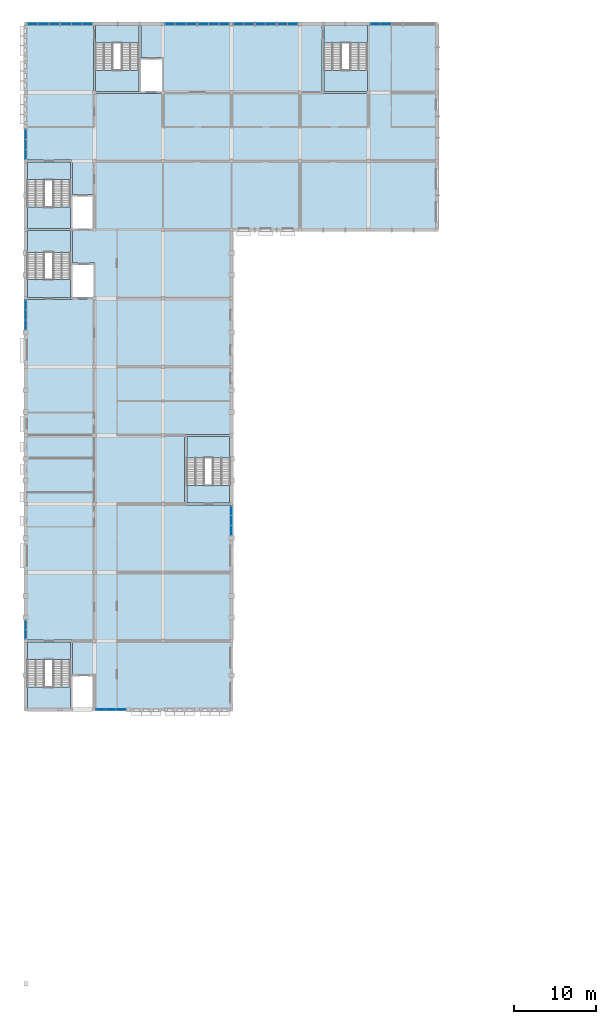
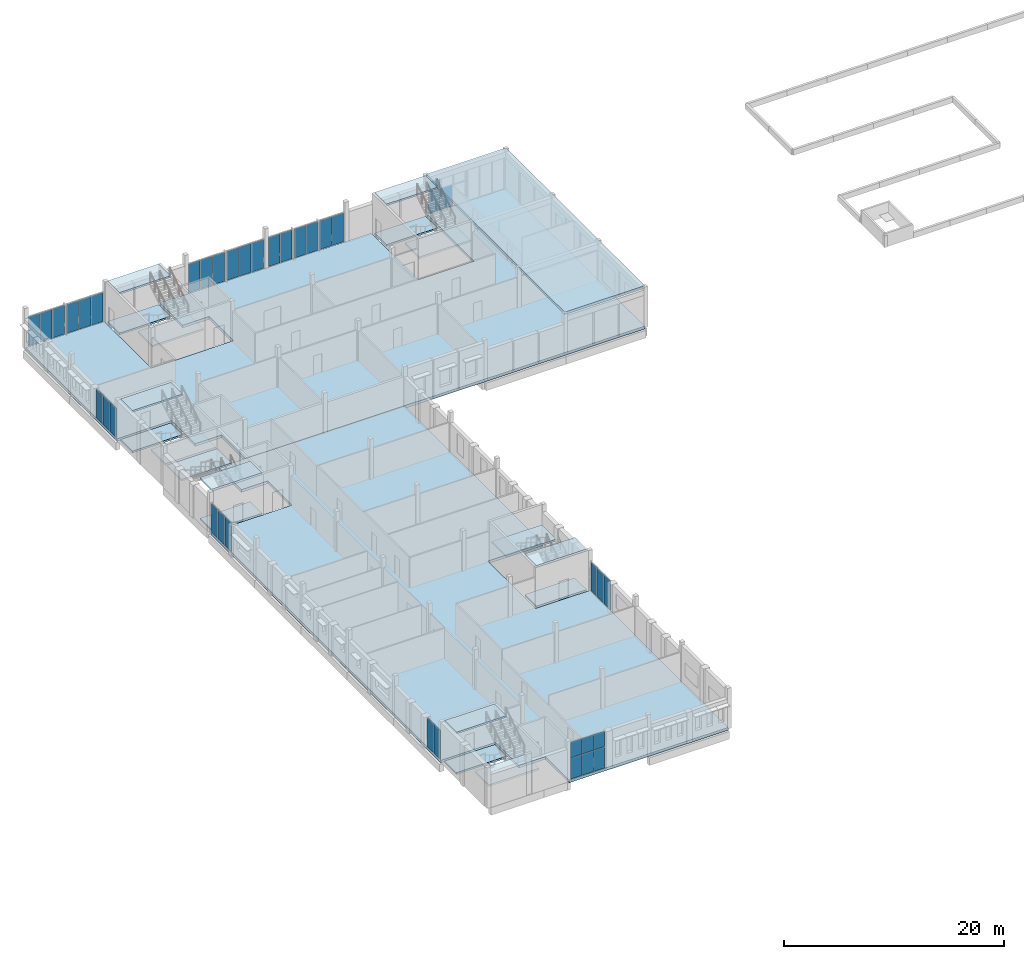
# One storey, part 12 of 22: 38 plates, 21 slabs, 19 elements without a shape of their own.
"""IFC4 building model written with IfcOpenShell, lengths in metres."""

import ifcopenshell
import ifcopenshell.guid

model = None  # the IFC model being written
_history = None  # IfcOwnerHistory: only IFC2X3 demands one
_inside = {}  # id of a spatial element -> (the spatial element, [elements in it])
_under = {}  # id of a project, library or spatial element -> (it, [spatial elements below it])
_declared = {}  # id of a project -> (the project, [libraries it declares])
_typed = {}  # id of a type object -> (the type object, [elements of that type])
_made_of = {}  # id of a material, layer set ... -> (it, [elements and type objects made of it])


def new_model(schema):
    """Start an empty IFC model of exactly this schema.

    Asked for "IFC4X3", IfcOpenShell would pick the latest addendum, in which some entities
    have other attributes; the version numbers below select the first issue.
    IFC2X3 requires an IfcOwnerHistory on every rooted entity: one is made here for all.
    """
    global model, _history
    if schema == "IFC4X3":
        model = ifcopenshell.file(schema_version=(4, 3, 0, 0))
    else:
        model = ifcopenshell.file(schema=schema)
    _inside.clear()
    _under.clear()
    _declared.clear()
    _typed.clear()
    _made_of.clear()
    _history = None
    if model.schema == "IFC2X3":
        org = make("IfcOrganization", Name="unknown")
        user = make(
            "IfcPersonAndOrganization",
            ThePerson=make("IfcPerson", FamilyName="unknown"),
            TheOrganization=org,
        )
        app = make(
            "IfcApplication",
            ApplicationDeveloper=org,
            Version="unknown",
            ApplicationFullName="unknown",
            ApplicationIdentifier="unknown",
        )
        _history = make(
            "IfcOwnerHistory",
            OwningUser=user,
            OwningApplication=app,
            ChangeAction="ADDED",
            CreationDate=0,
        )
    return model


def make(cls, **values):
    """One entity of the class cls with the attributes given. An attribute that is None is left unset."""
    return model.create_entity(
        cls, **{name: value for name, value in values.items() if value is not None}
    )


def rooted(cls, **values):
    """An entity with a GlobalId (a new one), such as an element, a storey or a relation."""
    return make(cls, GlobalId=ifcopenshell.guid.new(), OwnerHistory=_history, **values)


def si_unit(unit_type, name, prefix=None):
    """IfcSIUnit, for example si_unit("LENGTHUNIT", "METRE", prefix="MILLI")."""
    return make("IfcSIUnit", UnitType=unit_type, Prefix=prefix, Name=name)


def assignment(units):
    """IfcUnitAssignment: the units of a project."""
    return None if units is None else make("IfcUnitAssignment", Units=units)


def point(xyz):
    """IfcCartesianPoint."""
    return None if xyz is None else make("IfcCartesianPoint", Coordinates=xyz)


def direction(xyz):
    """IfcDirection."""
    return None if xyz is None else make("IfcDirection", DirectionRatios=xyz)


def frame(location, z_axis=None, x_axis=None):
    """IfcAxis2Placement3D, a coordinate frame: its origin and axes. An axis left out is left unset."""
    return make(
        "IfcAxis2Placement3D",
        Location=point(location),
        Axis=direction(z_axis),
        RefDirection=direction(x_axis),
    )


def frame_2d(location, x_axis=None):
    """IfcAxis2Placement2D, a coordinate frame in the plane: its origin and x axis."""
    return make(
        "IfcAxis2Placement2D", Location=point(location), RefDirection=direction(x_axis)
    )


def origin():
    """The frame at (0, 0, 0) with its axes left unset."""
    return frame((0.0, 0.0, 0.0))


def origin_2d():
    """The frame at (0, 0) in the plane with its x axis left unset."""
    return frame_2d((0.0, 0.0))


def place(relative_to, where):
    """IfcLocalPlacement: puts the frame where relative to a parent placement (None: the world)."""
    return make(
        "IfcLocalPlacement", PlacementRelTo=relative_to, RelativePlacement=where
    )


def context(
    kind, dimensions, precision=None, world=None, true_north=None, identifier=None
):
    """IfcGeometricRepresentationContext, for example the 3D "Model" context."""
    return make(
        "IfcGeometricRepresentationContext",
        ContextIdentifier=identifier,
        ContextType=kind,
        CoordinateSpaceDimension=dimensions,
        Precision=precision,
        WorldCoordinateSystem=world,
        TrueNorth=true_north,
    )


def subcontext(parent, identifier, kind, view, scale=None):
    """IfcGeometricRepresentationSubContext, for example "Body" below "Model"."""
    return make(
        "IfcGeometricRepresentationSubContext",
        ContextIdentifier=identifier,
        ContextType=kind,
        ParentContext=parent,
        TargetScale=scale,
        TargetView=view,
    )


def project(units=None, contexts=None):
    """IfcProject with its units and contexts."""
    return rooted(
        "IfcProject",
        Name="project",
        RepresentationContexts=contexts,
        UnitsInContext=assignment(units),
    )


def spatial(cls, under=None, at=None, **own):
    """A site, building, storey or space (cls), placed at a placement, below another one or the project."""
    s = rooted(cls, ObjectPlacement=at, **own)
    if under is not None:
        _under.setdefault(under.id(), (under, []))[1].append(s)
    return s


def polyline(points):
    """IfcPolyline through the points."""
    return make("IfcPolyline", Points=[point(p) for p in points])


def profile(cls, at=None, kind="AREA", **sizes):
    """A parametric profile (cls). Its sizes go by their IFC names, for example OverallWidth=200.0."""
    return make(cls, ProfileType=kind, Position=at, **sizes)


def rectangle(**sizes):
    """IfcRectangleProfileDef."""
    return profile("IfcRectangleProfileDef", **sizes)


def outline(outer, holes=None, kind="AREA"):
    """IfcArbitraryClosedProfileDef: a profile drawn as a closed curve; with holes, ...WithVoids."""
    if holes is None:
        return make("IfcArbitraryClosedProfileDef", ProfileType=kind, OuterCurve=outer)
    return make(
        "IfcArbitraryProfileDefWithVoids",
        ProfileType=kind,
        OuterCurve=outer,
        InnerCurves=holes,
    )


def extrude(swept, where, along, depth):
    """IfcExtrudedAreaSolid: the profile swept, set in the frame where, extruded along a direction by depth."""
    return make(
        "IfcExtrudedAreaSolid",
        SweptArea=swept,
        Position=where,
        ExtrudedDirection=direction(along),
        Depth=depth,
    )


def shape(context_of_items, identifier, shape_type, items):
    """IfcShapeRepresentation: the items that make up one representation, for example the "Body"."""
    return make(
        "IfcShapeRepresentation",
        ContextOfItems=context_of_items,
        RepresentationIdentifier=identifier,
        RepresentationType=shape_type,
        Items=items,
    )


def material(Name=None, Category=None):
    """IfcMaterial."""
    return make("IfcMaterial", Name=Name, Category=Category)


def layer(
    of_material, thickness, ventilated=None, Name=None, Category=None, Priority=None
):
    """IfcMaterialLayer: one layer of a wall or slab, of a material (None: an air gap)."""
    return make(
        "IfcMaterialLayer",
        Material=of_material,
        LayerThickness=thickness,
        IsVentilated=ventilated,
        Name=Name,
        Category=Category,
        Priority=Priority,
    )


def layer_set(layers, Name=None):
    """IfcMaterialLayerSet."""
    return make("IfcMaterialLayerSet", MaterialLayers=layers, LayerSetName=Name)


def made_of(thing, what):
    """Note that an element or type object is made of a material, layer set ...; save() writes the relation."""
    if what is not None:
        _made_of.setdefault(what.id(), (what, []))[1].append(thing)
    return thing


def type_object(cls, material=None, **own):
    """A type object (cls), such as IfcWallType, which elements share."""
    return made_of(rooted(cls, **own), material)


def element(
    cls,
    number,
    at=None,
    inside=None,
    cuts=None,
    type_object=None,
    material=None,
    context=None,
    identifier="Body",
    shape_type=None,
    held_by="IfcProductDefinitionShape",
    body=None,
    shapes=None,
    **own,
):
    """One element of the class cls, such as IfcWall. Its Tag is "e" and its number.

    at: its placement. inside: the storey or other place that contains it. cuts: it is an
    opening in that element (IfcRelVoidsElement). A single representation is given by context,
    identifier, shape_type and body (its items); several are given by shapes. held_by: the class
    of the entity that holds the representations. save() writes the other relations.
    """
    e = rooted(cls, Tag="e%d" % number, ObjectPlacement=at, **own)
    if body is not None:
        shapes = [shape(context, identifier, shape_type, body)]
    if shapes is not None:
        e.Representation = make(held_by, Representations=shapes)
    if inside is not None:
        _inside.setdefault(inside.id(), (inside, []))[1].append(e)
    if cuts is not None:
        rooted(
            "IfcRelVoidsElement", RelatingBuildingElement=cuts, RelatedOpeningElement=e
        )
    if type_object is not None:
        _typed.setdefault(type_object.id(), (type_object, []))[1].append(e)
    return made_of(e, material)


def aggregate(whole, parts):
    """IfcRelAggregates: a whole, such as a stair, and the parts it consists of."""
    return rooted("IfcRelAggregates", RelatingObject=whole, RelatedObjects=parts)


def save(model, path):
    """Write the relations noted so far, then the file.

    IfcRelAggregates (storeys below a building ...), IfcRelContainedInSpatialStructure (elements
    in a storey), IfcRelDefinesByType, IfcRelAssociatesMaterial and IfcRelDeclares: one each for
    every whole, place, type object, material and project.
    """
    for whole, parts in _under.values():
        aggregate(whole, parts)
    for where, things in _inside.values():
        rooted(
            "IfcRelContainedInSpatialStructure",
            RelatedElements=things,
            RelatingStructure=where,
        )
    for kind, things in _typed.values():
        rooted("IfcRelDefinesByType", RelatedObjects=things, RelatingType=kind)
    for what, things in _made_of.values():
        rooted("IfcRelAssociatesMaterial", RelatedObjects=things, RelatingMaterial=what)
    for by, libraries in _declared.values():
        rooted("IfcRelDeclares", RelatingContext=by, RelatedDefinitions=libraries)
    model.write(path)


model = new_model("IFC4")

# Units and contexts
model_context = context("Model", 3, precision=1e-05, world=origin(), true_north=direction((0.0, 1.0)))
body_context = subcontext(model_context, "Body", "Model", "MODEL_VIEW")
ifc_project = project(units=[si_unit("LENGTHUNIT", "METRE"), si_unit("AREAUNIT", "SQUARE_METRE"), si_unit("VOLUMEUNIT", "CUBIC_METRE"), si_unit("PLANEANGLEUNIT", "RADIAN"), si_unit("MASSUNIT", "GRAM", prefix="KILO")], contexts=[model_context])

# Site, building, storey
site_placement = place(None, origin())
site = spatial("IfcSite", under=ifc_project, at=site_placement, CompositionType="ELEMENT")
building_placement = place(site_placement, origin())
building = spatial("IfcBuilding", under=site, at=building_placement, Name="Fescue Hill Polytechnic", CompositionType="ELEMENT")
storey_placement = place(building_placement, frame((0.0, 0.0, 27.0)))
storey = spatial("IfcBuildingStorey", under=building, at=storey_placement, Name="L06", CompositionType="ELEMENT", Elevation=27.0)

# Slabs
ifc_material_1 = material(Name="Concrete 35 MPa", Category="concrete")
ifc_layer_1 = layer(ifc_material_1, 0.300048828125)
ifc_layer_set_1 = layer_set([ifc_layer_1], Name="Concrete 35 MPa")
slab_type_1 = type_object("IfcSlabType", Name="Floor slab 300", PredefinedType="FLOOR", material=ifc_layer_set_1)
slab_1_placement = place(storey_placement, frame((0.0, 0.0, -0.300048828125)))
element("IfcSlab", 1, at=slab_1_placement, inside=storey, type_object=slab_type_1, Name="SL-L06-V4-1", PredefinedType="FLOOR", context=body_context, shape_type="SweptSolid", body=[
    extrude(outline(polyline([(25.199951171875, 50.39990234375), (8.5, 50.39990234375), (8.5, 54.699951171875), (5.72509765625, 54.699951171875), (5.72509765625, 58.925048828125), (0.0, 58.925048828125), (0.0, 100.675048828125), (5.72509765625, 100.675048828125), (5.72509765625, 100.699951171875), (8.5, 100.699951171875), (8.5, 105.10009765625), (5.72509765625, 105.10009765625), (5.72509765625, 109.199951171875), (25.199951171875, 109.199951171875), (25.199951171875, 84.125), (19.47509765625, 84.125), (19.47509765625, 75.47509765625), (25.199951171875, 75.47509765625), (25.199951171875, 50.39990234375)])), origin(), (0.0, 0.0, 1.0), 0.300048828125),
])
slab_2_placement = place(storey_placement, frame((0.0, 0.0, -0.300048828125)))
element("IfcSlab", 2, at=slab_2_placement, inside=storey, type_object=slab_type_1, Name="SL-L06-V5-1", PredefinedType="FLOOR", context=body_context, shape_type="SweptSolid", body=[
    extrude(outline(polyline([(50.39990234375, 134.39990234375), (50.39990234375, 109.199951171875), (8.5, 109.199951171875), (8.5, 113.5), (5.72509765625, 113.5), (5.72509765625, 117.72509765625), (0.0, 117.72509765625), (0.0, 134.39990234375), (8.27490234375, 134.39990234375), (8.27490234375, 125.875), (14.125, 125.875), (14.125, 125.89990234375), (16.89990234375, 125.89990234375), (16.89990234375, 130.300048828125), (14.125, 130.300048828125), (14.125, 134.39990234375), (36.27490234375, 134.39990234375), (36.27490234375, 125.875), (42.125, 125.875), (42.125, 134.39990234375), (50.39990234375, 134.39990234375)])), origin(), (0.0, 0.0, 1.0), 0.300048828125),
])

# Curtain wall, plates
ifc_material_2 = material(Name="Glass", Category="glass")
curtain_wall_type = type_object("IfcCurtainWallType", Name="Curtain wall structural glazing", PredefinedType="NOTDEFINED", material=ifc_material_2)
curtain_wall_1_placement = place(storey_placement, origin())
curtain_wall_1 = element("IfcCurtainWall", 3, at=curtain_wall_1_placement, inside=storey, type_object=curtain_wall_type, Name="CW-L06-V5-2", PredefinedType="NOTDEFINED")
ifc_layer_2 = layer(ifc_material_2, 0.028076171875)
ifc_layer_set_2 = layer_set([ifc_layer_2], Name="Glass")
plate_type = type_object("IfcPlateType", Name="Panel glazing 28", PredefinedType="CURTAIN_PANEL", material=ifc_layer_set_2)
plate_1_placement = place(storey_placement, frame((32.7333984375, 134.39990234375, 0.06005859375), z_axis=(0.0, 0.0, 1.0), x_axis=(-1.0, 0.0, 0.0)))
plate_1 = element("IfcPlate", 4, at=plate_1_placement, type_object=plate_type, Name="CW100 panel 1.1", PredefinedType="CURTAIN_PANEL", context=body_context, shape_type="SweptSolid", body=[
    extrude(rectangle(XDim=1.21337890625, YDim=0.028076171875, at=origin_2d()), origin(), (0.0, 0.0, 1.0), 3.2099609375),
])
plate_2_placement = place(storey_placement, frame((31.4599609375, 134.39990234375, 0.06005859375), z_axis=(0.0, 0.0, 1.0), x_axis=(-1.0, 0.0, 0.0)))
plate_2 = element("IfcPlate", 5, at=plate_2_placement, type_object=plate_type, Name="CW100 panel 2.1", PredefinedType="CURTAIN_PANEL", context=body_context, shape_type="SweptSolid", body=[
    extrude(rectangle(XDim=1.21337890625, YDim=0.028076171875, at=origin_2d()), origin(), (0.0, 0.0, 1.0), 3.2099609375),
])
aggregate(curtain_wall_1, [plate_1, plate_2])

curtain_wall_2_placement = place(storey_placement, origin())
curtain_wall_2 = element("IfcCurtainWall", 6, at=curtain_wall_2_placement, inside=storey, type_object=curtain_wall_type, Name="CW-L06-V5-3", PredefinedType="NOTDEFINED")
plate_3_placement = place(storey_placement, frame((30.021728515625, 134.39990234375, 0.06005859375), z_axis=(0.0, 0.0, 1.0), x_axis=(-1.0, 0.0, 0.0)))
plate_3 = element("IfcPlate", 7, at=plate_3_placement, type_object=plate_type, Name="CW101 panel 1.1", PredefinedType="CURTAIN_PANEL", context=body_context, shape_type="SweptSolid", body=[
    extrude(rectangle(XDim=1.183349609375, YDim=0.028076171875, at=origin_2d()), origin(), (0.0, 0.0, 1.0), 3.2099609375),
])
plate_4_placement = place(storey_placement, frame((28.7783203125, 134.39990234375, 0.06005859375), z_axis=(0.0, 0.0, 1.0), x_axis=(-1.0, 0.0, 0.0)))
plate_4 = element("IfcPlate", 8, at=plate_4_placement, type_object=plate_type, Name="CW101 panel 2.1", PredefinedType="CURTAIN_PANEL", context=body_context, shape_type="SweptSolid", body=[
    extrude(rectangle(XDim=1.183349609375, YDim=0.028076171875, at=origin_2d()), origin(), (0.0, 0.0, 1.0), 3.2099609375),
])
aggregate(curtain_wall_2, [plate_3, plate_4])

curtain_wall_3_placement = place(storey_placement, origin())
curtain_wall_3 = element("IfcCurtainWall", 9, at=curtain_wall_3_placement, inside=storey, type_object=curtain_wall_type, Name="CW-L06-V5-4", PredefinedType="NOTDEFINED")
plate_5_placement = place(storey_placement, frame((27.340087890625, 134.39990234375, 0.06005859375), z_axis=(0.0, 0.0, 1.0), x_axis=(-1.0, 0.0, 0.0)))
plate_5 = element("IfcPlate", 10, at=plate_5_placement, type_object=plate_type, Name="CW102 panel 1.1", PredefinedType="CURTAIN_PANEL", context=body_context, shape_type="SweptSolid", body=[
    extrude(rectangle(XDim=1.21337890625, YDim=0.028076171875, at=origin_2d()), origin(), (0.0, 0.0, 1.0), 3.2099609375),
])
plate_6_placement = place(storey_placement, frame((26.066650390625, 134.39990234375, 0.06005859375), z_axis=(0.0, 0.0, 1.0), x_axis=(-1.0, 0.0, 0.0)))
plate_6 = element("IfcPlate", 11, at=plate_6_placement, type_object=plate_type, Name="CW102 panel 2.1", PredefinedType="CURTAIN_PANEL", context=body_context, shape_type="SweptSolid", body=[
    extrude(rectangle(XDim=1.21337890625, YDim=0.028076171875, at=origin_2d()), origin(), (0.0, 0.0, 1.0), 3.2099609375),
])
aggregate(curtain_wall_3, [plate_5, plate_6])

curtain_wall_4_placement = place(storey_placement, origin())
curtain_wall_4 = element("IfcCurtainWall", 12, at=curtain_wall_4_placement, inside=storey, type_object=curtain_wall_type, Name="CW-L06-V5-5", PredefinedType="NOTDEFINED")
plate_7_placement = place(storey_placement, frame((24.328369140625, 134.39990234375, 0.06005859375), z_axis=(0.0, 0.0, 1.0), x_axis=(-1.0, 0.0, 0.0)))
plate_7 = element("IfcPlate", 13, at=plate_7_placement, type_object=plate_type, Name="CW103 panel 1.1", PredefinedType="CURTAIN_PANEL", context=body_context, shape_type="SweptSolid", body=[
    extrude(rectangle(XDim=1.223388671875, YDim=0.028076171875, at=origin_2d()), origin(), (0.0, 0.0, 1.0), 3.2099609375),
])
plate_8_placement = place(storey_placement, frame((23.030029296875, 134.39990234375, 0.06005859375), z_axis=(0.0, 0.0, 1.0), x_axis=(-1.0, 0.0, 0.0)))
plate_8 = element("IfcPlate", 14, at=plate_8_placement, type_object=plate_type, Name="CW103 panel 2.1", PredefinedType="CURTAIN_PANEL", context=body_context, shape_type="SweptSolid", body=[
    extrude(rectangle(XDim=1.25341796875, YDim=0.028076171875, at=origin_2d()), origin(), (0.0, 0.0, 1.0), 3.2099609375),
])
plate_9_placement = place(storey_placement, frame((21.731689453125, 134.39990234375, 0.06005859375), z_axis=(0.0, 0.0, 1.0), x_axis=(-1.0, 0.0, 0.0)))
plate_9 = element("IfcPlate", 15, at=plate_9_placement, type_object=plate_type, Name="CW103 panel 3.1", PredefinedType="CURTAIN_PANEL", context=body_context, shape_type="SweptSolid", body=[
    extrude(rectangle(XDim=1.223388671875, YDim=0.028076171875, at=origin_2d()), origin(), (0.0, 0.0, 1.0), 3.2099609375),
])
aggregate(curtain_wall_4, [plate_7, plate_8, plate_9])

curtain_wall_5_placement = place(storey_placement, origin())
curtain_wall_5 = element("IfcCurtainWall", 16, at=curtain_wall_5_placement, inside=storey, type_object=curtain_wall_type, Name="CW-L06-V5-6", PredefinedType="NOTDEFINED")
plate_10_placement = place(storey_placement, frame((20.268310546875, 134.39990234375, 0.06005859375), z_axis=(0.0, 0.0, 1.0), x_axis=(-1.0, 0.0, 0.0)))
plate_10 = element("IfcPlate", 17, at=plate_10_placement, type_object=plate_type, Name="CW104 panel 1.1", PredefinedType="CURTAIN_PANEL", context=body_context, shape_type="SweptSolid", body=[
    extrude(rectangle(XDim=1.223388671875, YDim=0.028076171875, at=origin_2d()), origin(), (0.0, 0.0, 1.0), 3.2099609375),
])
plate_11_placement = place(storey_placement, frame((18.969970703125, 134.39990234375, 0.06005859375), z_axis=(0.0, 0.0, 1.0), x_axis=(-1.0, 0.0, 0.0)))
plate_11 = element("IfcPlate", 18, at=plate_11_placement, type_object=plate_type, Name="CW104 panel 2.1", PredefinedType="CURTAIN_PANEL", context=body_context, shape_type="SweptSolid", body=[
    extrude(rectangle(XDim=1.25341796875, YDim=0.028076171875, at=origin_2d()), origin(), (0.0, 0.0, 1.0), 3.2099609375),
])
plate_12_placement = place(storey_placement, frame((17.671630859375, 134.39990234375, 0.06005859375), z_axis=(0.0, 0.0, 1.0), x_axis=(-1.0, 0.0, 0.0)))
plate_12 = element("IfcPlate", 19, at=plate_12_placement, type_object=plate_type, Name="CW104 panel 3.1", PredefinedType="CURTAIN_PANEL", context=body_context, shape_type="SweptSolid", body=[
    extrude(rectangle(XDim=1.223388671875, YDim=0.028076171875, at=origin_2d()), origin(), (0.0, 0.0, 1.0), 3.2099609375),
])
aggregate(curtain_wall_5, [plate_10, plate_11, plate_12])

curtain_wall_6_placement = place(storey_placement, origin())
curtain_wall_6 = element("IfcCurtainWall", 20, at=curtain_wall_6_placement, inside=storey, type_object=curtain_wall_type, Name="CW-L06-V5-7", PredefinedType="NOTDEFINED")
plate_13_placement = place(storey_placement, frame((3.46826171875, 134.39990234375, 0.06005859375), z_axis=(0.0, 0.0, 1.0), x_axis=(-1.0, 0.0, 0.0)))
plate_13 = element("IfcPlate", 21, at=plate_13_placement, type_object=plate_type, Name="CW105 panel 1.1", PredefinedType="CURTAIN_PANEL", context=body_context, shape_type="SweptSolid", body=[
    extrude(rectangle(XDim=1.223388671875, YDim=0.028076171875, at=origin_2d()), origin(), (0.0, 0.0, 1.0), 3.2099609375),
])
plate_14_placement = place(storey_placement, frame((2.169921875, 134.39990234375, 0.06005859375), z_axis=(0.0, 0.0, 1.0), x_axis=(-1.0, 0.0, 0.0)))
plate_14 = element("IfcPlate", 22, at=plate_14_placement, type_object=plate_type, Name="CW105 panel 2.1", PredefinedType="CURTAIN_PANEL", context=body_context, shape_type="SweptSolid", body=[
    extrude(rectangle(XDim=1.25341796875, YDim=0.028076171875, at=origin_2d()), origin(), (0.0, 0.0, 1.0), 3.2099609375),
])
plate_15_placement = place(storey_placement, frame((0.87158203125, 134.39990234375, 0.06005859375), z_axis=(0.0, 0.0, 1.0), x_axis=(-1.0, 0.0, 0.0)))
plate_15 = element("IfcPlate", 23, at=plate_15_placement, type_object=plate_type, Name="CW105 panel 3.1", PredefinedType="CURTAIN_PANEL", context=body_context, shape_type="SweptSolid", body=[
    extrude(rectangle(XDim=1.223388671875, YDim=0.028076171875, at=origin_2d()), origin(), (0.0, 0.0, 1.0), 3.2099609375),
])
aggregate(curtain_wall_6, [plate_13, plate_14, plate_15])

curtain_wall_7_placement = place(storey_placement, origin())
curtain_wall_7 = element("IfcCurtainWall", 24, at=curtain_wall_7_placement, inside=storey, type_object=curtain_wall_type, Name="CW-L06-V4-X1", PredefinedType="NOTDEFINED")
plate_16_placement = place(storey_placement, frame((0.0, 60.760009765625, 0.06005859375), z_axis=(0.0, 0.0, 1.0), x_axis=(0.0, -1.0, 0.0)))
plate_16 = element("IfcPlate", 25, at=plate_16_placement, type_object=plate_type, Name="CW126 panel 1.1", PredefinedType="CURTAIN_PANEL", context=body_context, shape_type="SweptSolid", body=[
    extrude(rectangle(XDim=1.09326171875, YDim=0.028076171875, at=origin_2d()), origin(), (0.0, 0.0, 1.0), 3.2099609375),
])
plate_17_placement = place(storey_placement, frame((0.0, 59.606689453125, 0.06005859375), z_axis=(0.0, 0.0, 1.0), x_axis=(0.0, -1.0, 0.0)))
plate_17 = element("IfcPlate", 26, at=plate_17_placement, type_object=plate_type, Name="CW126 panel 2.1", PredefinedType="CURTAIN_PANEL", context=body_context, shape_type="SweptSolid", body=[
    extrude(rectangle(XDim=1.09326171875, YDim=0.028076171875, at=origin_2d()), origin(), (0.0, 0.0, 1.0), 3.2099609375),
])
aggregate(curtain_wall_7, [plate_16, plate_17])

curtain_wall_8_placement = place(storey_placement, origin())
curtain_wall_8 = element("IfcCurtainWall", 27, at=curtain_wall_8_placement, inside=storey, type_object=curtain_wall_type, Name="CW-L06-V4-X2", PredefinedType="NOTDEFINED")
plate_18_placement = place(storey_placement, frame((0.0, 99.96826171875, 0.06005859375), z_axis=(0.0, 0.0, 1.0), x_axis=(0.0, -1.0, 0.0)))
plate_18 = element("IfcPlate", 28, at=plate_18_placement, type_object=plate_type, Name="CW132 panel 1.1", PredefinedType="CURTAIN_PANEL", context=body_context, shape_type="SweptSolid", body=[
    extrude(rectangle(XDim=1.143310546875, YDim=0.028076171875, at=origin_2d()), origin(), (0.0, 0.0, 1.0), 3.2099609375),
])
plate_19_placement = place(storey_placement, frame((0.0, 98.75, 0.06005859375), z_axis=(0.0, 0.0, 1.0), x_axis=(0.0, -1.0, 0.0)))
plate_19 = element("IfcPlate", 29, at=plate_19_placement, type_object=plate_type, Name="CW132 panel 2.1", PredefinedType="CURTAIN_PANEL", context=body_context, shape_type="SweptSolid", body=[
    extrude(rectangle(XDim=1.17333984375, YDim=0.028076171875, at=origin_2d()), origin(), (0.0, 0.0, 1.0), 3.2099609375),
])
plate_20_placement = place(storey_placement, frame((0.0, 97.53173828125, 0.06005859375), z_axis=(0.0, 0.0, 1.0), x_axis=(0.0, -1.0, 0.0)))
plate_20 = element("IfcPlate", 30, at=plate_20_placement, type_object=plate_type, Name="CW132 panel 3.1", PredefinedType="CURTAIN_PANEL", context=body_context, shape_type="SweptSolid", body=[
    extrude(rectangle(XDim=1.143310546875, YDim=0.028076171875, at=origin_2d()), origin(), (0.0, 0.0, 1.0), 3.2099609375),
])
aggregate(curtain_wall_8, [plate_18, plate_19, plate_20])

curtain_wall_9_placement = place(storey_placement, origin())
curtain_wall_9 = element("IfcCurtainWall", 31, at=curtain_wall_9_placement, inside=storey, type_object=curtain_wall_type, Name="CW-L06-V4-X3", PredefinedType="NOTDEFINED")
plate_21_placement = place(storey_placement, frame((25.199951171875, 72.331787109375, 0.06005859375), z_axis=(0.0, 0.0, 1.0), x_axis=(0.0, 1.0, 0.0)))
plate_21 = element("IfcPlate", 32, at=plate_21_placement, type_object=plate_type, Name="CW139 panel 1.1", PredefinedType="CURTAIN_PANEL", context=body_context, shape_type="SweptSolid", body=[
    extrude(rectangle(XDim=1.143310546875, YDim=0.028076171875, at=origin_2d()), origin(), (0.0, 0.0, 1.0), 3.2099609375),
])
plate_22_placement = place(storey_placement, frame((25.199951171875, 73.550048828125, 0.06005859375), z_axis=(0.0, 0.0, 1.0), x_axis=(0.0, 1.0, 0.0)))
plate_22 = element("IfcPlate", 33, at=plate_22_placement, type_object=plate_type, Name="CW139 panel 2.1", PredefinedType="CURTAIN_PANEL", context=body_context, shape_type="SweptSolid", body=[
    extrude(rectangle(XDim=1.17333984375, YDim=0.028076171875, at=origin_2d()), origin(), (0.0, 0.0, 1.0), 3.2099609375),
])
plate_23_placement = place(storey_placement, frame((25.199951171875, 74.768310546875, 0.06005859375), z_axis=(0.0, 0.0, 1.0), x_axis=(0.0, 1.0, 0.0)))
plate_23 = element("IfcPlate", 34, at=plate_23_placement, type_object=plate_type, Name="CW139 panel 3.1", PredefinedType="CURTAIN_PANEL", context=body_context, shape_type="SweptSolid", body=[
    extrude(rectangle(XDim=1.143310546875, YDim=0.028076171875, at=origin_2d()), origin(), (0.0, 0.0, 1.0), 3.2099609375),
])
aggregate(curtain_wall_9, [plate_21, plate_22, plate_23])

curtain_wall_10_placement = place(storey_placement, origin())
curtain_wall_10 = element("IfcCurtainWall", 35, at=curtain_wall_10_placement, inside=storey, type_object=curtain_wall_type, Name="CW-L06-V4-X4", PredefinedType="NOTDEFINED")
plate_24_placement = place(storey_placement, frame((9.231689453125, 50.39990234375, 0.06005859375), z_axis=(0.0, 0.0, 1.0), x_axis=(1.0, 0.0, 0.0)))
plate_24 = element("IfcPlate", 36, at=plate_24_placement, type_object=plate_type, Name="CW144 panel 1.1", PredefinedType="CURTAIN_PANEL", context=body_context, shape_type="SweptSolid", body=[
    extrude(rectangle(XDim=1.143310546875, YDim=0.028076171875, at=origin_2d()), origin(), (0.0, 0.0, 1.0), 2.31005859375),
])
plate_25_placement = place(storey_placement, frame((9.231689453125, 50.39990234375, 2.429931640625), z_axis=(0.0, 0.0, 1.0), x_axis=(1.0, 0.0, 0.0)))
plate_25 = element("IfcPlate", 37, at=plate_25_placement, type_object=plate_type, Name="CW144 panel 1.2", PredefinedType="CURTAIN_PANEL", context=body_context, shape_type="SweptSolid", body=[
    extrude(rectangle(XDim=1.143310546875, YDim=0.028076171875, at=origin_2d()), origin(), (0.0, 0.0, 1.0), 1.68994140625),
])
plate_26_placement = place(storey_placement, frame((10.449951171875, 50.39990234375, 0.06005859375), z_axis=(0.0, 0.0, 1.0), x_axis=(1.0, 0.0, 0.0)))
plate_26 = element("IfcPlate", 38, at=plate_26_placement, type_object=plate_type, Name="CW144 panel 2.1", PredefinedType="CURTAIN_PANEL", context=body_context, shape_type="SweptSolid", body=[
    extrude(rectangle(XDim=1.17333984375, YDim=0.028076171875, at=origin_2d()), origin(), (0.0, 0.0, 1.0), 2.31005859375),
])
plate_27_placement = place(storey_placement, frame((10.449951171875, 50.39990234375, 2.429931640625), z_axis=(0.0, 0.0, 1.0), x_axis=(1.0, 0.0, 0.0)))
plate_27 = element("IfcPlate", 39, at=plate_27_placement, type_object=plate_type, Name="CW144 panel 2.2", PredefinedType="CURTAIN_PANEL", context=body_context, shape_type="SweptSolid", body=[
    extrude(rectangle(XDim=1.17333984375, YDim=0.028076171875, at=origin_2d()), origin(), (0.0, 0.0, 1.0), 1.68994140625),
])
plate_28_placement = place(storey_placement, frame((11.668212890625, 50.39990234375, 0.06005859375), z_axis=(0.0, 0.0, 1.0), x_axis=(1.0, 0.0, 0.0)))
plate_28 = element("IfcPlate", 40, at=plate_28_placement, type_object=plate_type, Name="CW144 panel 3.1", PredefinedType="CURTAIN_PANEL", context=body_context, shape_type="SweptSolid", body=[
    extrude(rectangle(XDim=1.143310546875, YDim=0.028076171875, at=origin_2d()), origin(), (0.0, 0.0, 1.0), 2.31005859375),
])
plate_29_placement = place(storey_placement, frame((11.668212890625, 50.39990234375, 2.429931640625), z_axis=(0.0, 0.0, 1.0), x_axis=(1.0, 0.0, 0.0)))
plate_29 = element("IfcPlate", 41, at=plate_29_placement, type_object=plate_type, Name="CW144 panel 3.2", PredefinedType="CURTAIN_PANEL", context=body_context, shape_type="SweptSolid", body=[
    extrude(rectangle(XDim=1.143310546875, YDim=0.028076171875, at=origin_2d()), origin(), (0.0, 0.0, 1.0), 1.68994140625),
])
aggregate(curtain_wall_10, [plate_24, plate_25, plate_26, plate_27, plate_28, plate_29])

curtain_wall_11_placement = place(storey_placement, origin())
curtain_wall_11 = element("IfcCurtainWall", 42, at=curtain_wall_11_placement, inside=storey, type_object=curtain_wall_type, Name="CW-L06-V5-X1", PredefinedType="NOTDEFINED")
plate_30_placement = place(storey_placement, frame((0.0, 120.868408203125, 0.06005859375), z_axis=(0.0, 0.0, 1.0), x_axis=(0.0, -1.0, 0.0)))
plate_30 = element("IfcPlate", 43, at=plate_30_placement, type_object=plate_type, Name="CW149 panel 1.1", PredefinedType="CURTAIN_PANEL", context=body_context, shape_type="SweptSolid", body=[
    extrude(rectangle(XDim=1.143310546875, YDim=0.028076171875, at=origin_2d()), origin(), (0.0, 0.0, 1.0), 3.2099609375),
])
plate_31_placement = place(storey_placement, frame((0.0, 119.64990234375, 0.06005859375), z_axis=(0.0, 0.0, 1.0), x_axis=(0.0, -1.0, 0.0)))
plate_31 = element("IfcPlate", 44, at=plate_31_placement, type_object=plate_type, Name="CW149 panel 2.1", PredefinedType="CURTAIN_PANEL", context=body_context, shape_type="SweptSolid", body=[
    extrude(rectangle(XDim=1.17333984375, YDim=0.028076171875, at=origin_2d()), origin(), (0.0, 0.0, 1.0), 3.2099609375),
])
plate_32_placement = place(storey_placement, frame((0.0, 118.431640625, 0.06005859375), z_axis=(0.0, 0.0, 1.0), x_axis=(0.0, -1.0, 0.0)))
plate_32 = element("IfcPlate", 45, at=plate_32_placement, type_object=plate_type, Name="CW149 panel 3.1", PredefinedType="CURTAIN_PANEL", context=body_context, shape_type="SweptSolid", body=[
    extrude(rectangle(XDim=1.143310546875, YDim=0.028076171875, at=origin_2d()), origin(), (0.0, 0.0, 1.0), 3.2099609375),
])
aggregate(curtain_wall_11, [plate_30, plate_31, plate_32])

curtain_wall_12_placement = place(storey_placement, origin())
curtain_wall_12 = element("IfcCurtainWall", 46, at=curtain_wall_12_placement, inside=storey, type_object=curtain_wall_type, Name="CW-L06-V5-X2", PredefinedType="NOTDEFINED")
plate_33_placement = place(storey_placement, frame((44.169921875, 134.39990234375, 0.06005859375), z_axis=(0.0, 0.0, 1.0), x_axis=(-1.0, 0.0, 0.0)))
plate_33 = element("IfcPlate", 47, at=plate_33_placement, type_object=plate_type, Name="CW155 panel 2.1", PredefinedType="CURTAIN_PANEL", context=body_context, shape_type="SweptSolid", body=[
    extrude(rectangle(XDim=1.25341796875, YDim=0.028076171875, at=origin_2d()), origin(), (0.0, 0.0, 1.0), 2.31005859375),
])
plate_34_placement = place(storey_placement, frame((42.87158203125, 134.39990234375, 0.06005859375), z_axis=(0.0, 0.0, 1.0), x_axis=(-1.0, 0.0, 0.0)))
plate_34 = element("IfcPlate", 48, at=plate_34_placement, type_object=plate_type, Name="CW155 panel 3.1", PredefinedType="CURTAIN_PANEL", context=body_context, shape_type="SweptSolid", body=[
    extrude(rectangle(XDim=1.223388671875, YDim=0.028076171875, at=origin_2d()), origin(), (0.0, 0.0, 1.0), 2.31005859375),
])
plate_35_placement = place(storey_placement, frame((42.87158203125, 134.39990234375, 2.43017578125), z_axis=(0.0, 0.0, 1.0), x_axis=(-1.0, 0.0, 0.0)))
plate_35 = element("IfcPlate", 49, at=plate_35_placement, type_object=plate_type, Name="CW155 panel 3.2", PredefinedType="CURTAIN_PANEL", context=body_context, shape_type="SweptSolid", body=[
    extrude(rectangle(XDim=1.223388671875, YDim=0.028076171875, at=origin_2d()), origin(), (0.0, 0.0, 1.0), 1.090087890625),
])
aggregate(curtain_wall_12, [plate_33, plate_34, plate_35])

curtain_wall_13_placement = place(storey_placement, origin())
curtain_wall_13 = element("IfcCurtainWall", 50, at=curtain_wall_13_placement, inside=storey, type_object=curtain_wall_type, Name="CW-L06-V5-X3", PredefinedType="NOTDEFINED")
plate_36_placement = place(storey_placement, frame((7.5283203125, 134.39990234375, 0.06005859375), z_axis=(0.0, 0.0, 1.0), x_axis=(-1.0, 0.0, 0.0)))
plate_36 = element("IfcPlate", 51, at=plate_36_placement, type_object=plate_type, Name="CW161 panel 1.1", PredefinedType="CURTAIN_PANEL", context=body_context, shape_type="SweptSolid", body=[
    extrude(rectangle(XDim=1.223388671875, YDim=0.028076171875, at=origin_2d()), origin(), (0.0, 0.0, 1.0), 3.2099609375),
])
plate_37_placement = place(storey_placement, frame((6.22998046875, 134.39990234375, 0.06005859375), z_axis=(0.0, 0.0, 1.0), x_axis=(-1.0, 0.0, 0.0)))
plate_37 = element("IfcPlate", 52, at=plate_37_placement, type_object=plate_type, Name="CW161 panel 2.1", PredefinedType="CURTAIN_PANEL", context=body_context, shape_type="SweptSolid", body=[
    extrude(rectangle(XDim=1.25341796875, YDim=0.028076171875, at=origin_2d()), origin(), (0.0, 0.0, 1.0), 3.2099609375),
])
plate_38_placement = place(storey_placement, frame((4.931640625, 134.39990234375, 0.06005859375), z_axis=(0.0, 0.0, 1.0), x_axis=(-1.0, 0.0, 0.0)))
plate_38 = element("IfcPlate", 53, at=plate_38_placement, type_object=plate_type, Name="CW161 panel 3.1", PredefinedType="CURTAIN_PANEL", context=body_context, shape_type="SweptSolid", body=[
    extrude(rectangle(XDim=1.223388671875, YDim=0.028076171875, at=origin_2d()), origin(), (0.0, 0.0, 1.0), 3.2099609375),
])
aggregate(curtain_wall_13, [plate_36, plate_37, plate_38])

# Slab
ifc_layer_3 = layer(ifc_material_1, 0.300048828125)
ifc_layer_set_3 = layer_set([ifc_layer_3], Name="Concrete 35 MPa")
slab_type_2 = type_object("IfcSlabType", Name="Roof slab 300", PredefinedType="ROOF", material=ifc_layer_set_3)
slab_3_placement = place(storey_placement, frame((0.0, 0.0, 4.199951171875)))
element("IfcSlab", 54, at=slab_3_placement, inside=storey, type_object=slab_type_2, Name="RF-L06-V5-1", PredefinedType="ROOF", context=body_context, shape_type="SweptSolid", body=[
    extrude(outline(polyline([(50.39990234375, 109.199951171875), (42.0, 109.199951171875), (42.0, 134.39990234375), (50.39990234375, 134.39990234375), (50.39990234375, 109.199951171875)])), origin(), (0.0, 0.0, 1.0), 0.300048828125),
])

# Stair, slabs
stair_type = type_object("IfcStairType", Name="Half-turn stair 2150 flights", PredefinedType="HALF_TURN_STAIR", material=ifc_material_1)
stair_1_placement = place(storey_placement, origin())
stair_1 = element("IfcStair", 55, at=stair_1_placement, inside=storey, type_object=stair_type, Name="L06 ST-V4-1 stair", PredefinedType="HALF_TURN_STAIR")
ifc_layer_4 = layer(ifc_material_1, 0.199951171875)
ifc_layer_set_4 = layer_set([ifc_layer_4], Name="Concrete 35 MPa")
slab_type_3 = type_object("IfcSlabType", Name="Stair landing slab 200", PredefinedType="LANDING", material=ifc_layer_set_4)
slab_4_placement = place(storey_placement, frame((0.0, 0.0, 2.050048828125)))
slab_4 = element("IfcSlab", 56, at=slab_4_placement, type_object=slab_type_3, Name="S15 landing 1", PredefinedType="LANDING", context=body_context, shape_type="SweptSolid", body=[
    extrude(outline(polyline([(0.22509765625, 50.610107421875), (5.5, 50.610107421875), (5.5, 53.1650390625), (0.22509765625, 53.1650390625), (0.22509765625, 50.610107421875)])), origin(), (0.0, 0.0, 1.0), 0.199951171875),
])
slab_5_placement = place(storey_placement, frame((0.0, 0.0, -0.199951171875)))
slab_5 = element("IfcSlab", 57, at=slab_5_placement, type_object=slab_type_3, Name="S15 landing 2", PredefinedType="LANDING", context=body_context, shape_type="SweptSolid", body=[
    extrude(outline(polyline([(0.22509765625, 56.52490234375), (5.47509765625, 56.52490234375), (5.47509765625, 58.675048828125), (0.22509765625, 58.675048828125), (0.22509765625, 56.52490234375)])), origin(), (0.0, 0.0, 1.0), 0.199951171875),
])
slab_6_placement = place(storey_placement, frame((0.0, 0.0, 4.300048828125)))
slab_6 = element("IfcSlab", 58, at=slab_6_placement, type_object=slab_type_3, Name="S15 landing 3", PredefinedType="LANDING", context=body_context, shape_type="SweptSolid", body=[
    extrude(outline(polyline([(0.22509765625, 56.52490234375), (5.47509765625, 56.52490234375), (5.47509765625, 58.675048828125), (0.22509765625, 58.675048828125), (0.22509765625, 56.52490234375)])), origin(), (0.0, 0.0, 1.0), 0.199951171875),
])
aggregate(stair_1, [slab_4, slab_5, slab_6])

stair_2_placement = place(storey_placement, origin())
stair_2 = element("IfcStair", 59, at=stair_2_placement, inside=storey, type_object=stair_type, Name="L06 ST-V4-2 stair", PredefinedType="HALF_TURN_STAIR")
slab_7_placement = place(storey_placement, frame((0.0, 0.0, 2.050048828125)))
slab_7 = element("IfcSlab", 60, at=slab_7_placement, type_object=slab_type_3, Name="S16 landing 1", PredefinedType="LANDING", context=body_context, shape_type="SweptSolid", body=[
    extrude(outline(polyline([(0.22509765625, 106.43505859375), (5.47509765625, 106.43505859375), (5.47509765625, 109.074951171875), (0.22509765625, 109.074951171875), (0.22509765625, 106.43505859375)])), origin(), (0.0, 0.0, 1.0), 0.199951171875),
])
slab_8_placement = place(storey_placement, frame((0.0, 0.0, -0.199951171875)))
slab_8 = element("IfcSlab", 61, at=slab_8_placement, type_object=slab_type_3, Name="S16 landing 2", PredefinedType="LANDING", context=body_context, shape_type="SweptSolid", body=[
    extrude(outline(polyline([(0.22509765625, 100.925048828125), (5.5, 100.925048828125), (5.5, 103.074951171875), (0.22509765625, 103.074951171875), (0.22509765625, 100.925048828125)])), origin(), (0.0, 0.0, 1.0), 0.199951171875),
])
slab_9_placement = place(storey_placement, frame((0.0, 0.0, 4.300048828125)))
slab_9 = element("IfcSlab", 62, at=slab_9_placement, type_object=slab_type_3, Name="S16 landing 3", PredefinedType="LANDING", context=body_context, shape_type="SweptSolid", body=[
    extrude(outline(polyline([(0.22509765625, 100.925048828125), (5.5, 100.925048828125), (5.5, 103.074951171875), (0.22509765625, 103.074951171875), (0.22509765625, 100.925048828125)])), origin(), (0.0, 0.0, 1.0), 0.199951171875),
])
aggregate(stair_2, [slab_7, slab_8, slab_9])

stair_3_placement = place(storey_placement, origin())
stair_3 = element("IfcStair", 63, at=stair_3_placement, inside=storey, type_object=stair_type, Name="L06 ST-V4-3 stair", PredefinedType="HALF_TURN_STAIR")
slab_10_placement = place(storey_placement, frame((0.0, 0.0, 2.050048828125)))
slab_10 = element("IfcSlab", 64, at=slab_10_placement, type_object=slab_type_3, Name="S17 landing 1", PredefinedType="LANDING", context=body_context, shape_type="SweptSolid", body=[
    extrude(outline(polyline([(19.72509765625, 81.235107421875), (24.97509765625, 81.235107421875), (24.97509765625, 83.875), (19.72509765625, 83.875), (19.72509765625, 81.235107421875)])), origin(), (0.0, 0.0, 1.0), 0.199951171875),
])
slab_11_placement = place(storey_placement, frame((0.0, 0.0, -0.199951171875)))
slab_11 = element("IfcSlab", 65, at=slab_11_placement, type_object=slab_type_3, Name="S17 landing 2", PredefinedType="LANDING", context=body_context, shape_type="SweptSolid", body=[
    extrude(outline(polyline([(19.72509765625, 75.72509765625), (24.97509765625, 75.72509765625), (24.97509765625, 77.875), (19.72509765625, 77.875), (19.72509765625, 75.72509765625)])), origin(), (0.0, 0.0, 1.0), 0.199951171875),
])
slab_12_placement = place(storey_placement, frame((0.0, 0.0, 4.300048828125)))
slab_12 = element("IfcSlab", 66, at=slab_12_placement, type_object=slab_type_3, Name="S17 landing 3", PredefinedType="LANDING", context=body_context, shape_type="SweptSolid", body=[
    extrude(outline(polyline([(19.72509765625, 75.72509765625), (24.97509765625, 75.72509765625), (24.97509765625, 77.875), (19.72509765625, 77.875), (19.72509765625, 75.72509765625)])), origin(), (0.0, 0.0, 1.0), 0.199951171875),
])
aggregate(stair_3, [slab_10, slab_11, slab_12])

stair_4_placement = place(storey_placement, origin())
stair_4 = element("IfcStair", 67, at=stair_4_placement, inside=storey, type_object=stair_type, Name="L06 ST-V5-1 stair", PredefinedType="HALF_TURN_STAIR")
slab_13_placement = place(storey_placement, frame((0.0, 0.0, 2.050048828125)))
slab_13 = element("IfcSlab", 68, at=slab_13_placement, type_object=slab_type_3, Name="S18 landing 1", PredefinedType="LANDING", context=body_context, shape_type="SweptSolid", body=[
    extrude(outline(polyline([(0.2099609375, 109.324951171875), (5.5, 109.324951171875), (5.5, 111.965087890625), (0.2099609375, 111.965087890625), (0.2099609375, 109.324951171875)])), origin(), (0.0, 0.0, 1.0), 0.199951171875),
])
slab_14_placement = place(storey_placement, frame((0.0, 0.0, -0.199951171875)))
slab_14 = element("IfcSlab", 69, at=slab_14_placement, type_object=slab_type_3, Name="S18 landing 2", PredefinedType="LANDING", context=body_context, shape_type="SweptSolid", body=[
    extrude(outline(polyline([(0.2099609375, 115.324951171875), (5.47509765625, 115.324951171875), (5.47509765625, 117.47509765625), (0.2099609375, 117.47509765625), (0.2099609375, 115.324951171875)])), origin(), (0.0, 0.0, 1.0), 0.199951171875),
])
slab_15_placement = place(storey_placement, frame((0.0, 0.0, 4.300048828125)))
slab_15 = element("IfcSlab", 70, at=slab_15_placement, type_object=slab_type_3, Name="S18 landing 3", PredefinedType="LANDING", context=body_context, shape_type="SweptSolid", body=[
    extrude(outline(polyline([(0.2099609375, 115.324951171875), (5.47509765625, 115.324951171875), (5.47509765625, 117.47509765625), (0.2099609375, 117.47509765625), (0.2099609375, 115.324951171875)])), origin(), (0.0, 0.0, 1.0), 0.199951171875),
])
aggregate(stair_4, [slab_13, slab_14, slab_15])

stair_5_placement = place(storey_placement, origin())
stair_5 = element("IfcStair", 71, at=stair_5_placement, inside=storey, type_object=stair_type, Name="L06 ST-V5-2 stair", PredefinedType="HALF_TURN_STAIR")
slab_16_placement = place(storey_placement, frame((0.0, 0.0, 2.050048828125)))
slab_16 = element("IfcSlab", 72, at=slab_16_placement, type_object=slab_type_3, Name="S19 landing 1", PredefinedType="LANDING", context=body_context, shape_type="SweptSolid", body=[
    extrude(outline(polyline([(36.52490234375, 126.125), (41.875, 126.125), (41.875, 128.739990234375), (36.52490234375, 128.739990234375), (36.52490234375, 126.125)])), origin(), (0.0, 0.0, 1.0), 0.199951171875),
])
slab_17_placement = place(storey_placement, frame((0.0, 0.0, -0.199951171875)))
slab_17 = element("IfcSlab", 73, at=slab_17_placement, type_object=slab_type_3, Name="S19 landing 2", PredefinedType="LANDING", context=body_context, shape_type="SweptSolid", body=[
    extrude(outline(polyline([(36.52490234375, 132.10009765625), (41.875, 132.10009765625), (41.875, 134.25), (36.52490234375, 134.25), (36.52490234375, 132.10009765625)])), origin(), (0.0, 0.0, 1.0), 0.199951171875),
])
slab_18_placement = place(storey_placement, frame((0.0, 0.0, 4.300048828125)))
slab_18 = element("IfcSlab", 74, at=slab_18_placement, type_object=slab_type_3, Name="S19 landing 3", PredefinedType="LANDING", context=body_context, shape_type="SweptSolid", body=[
    extrude(outline(polyline([(36.52490234375, 132.10009765625), (41.875, 132.10009765625), (41.875, 134.25), (36.52490234375, 134.25), (36.52490234375, 132.10009765625)])), origin(), (0.0, 0.0, 1.0), 0.199951171875),
])
aggregate(stair_5, [slab_16, slab_17, slab_18])

stair_6_placement = place(storey_placement, origin())
stair_6 = element("IfcStair", 75, at=stair_6_placement, inside=storey, type_object=stair_type, Name="L06 ST-V5-3 stair", PredefinedType="HALF_TURN_STAIR")
slab_19_placement = place(storey_placement, frame((0.0, 0.0, 2.050048828125)))
slab_19 = element("IfcSlab", 76, at=slab_19_placement, type_object=slab_type_3, Name="S20 landing 1", PredefinedType="LANDING", context=body_context, shape_type="SweptSolid", body=[
    extrude(outline(polyline([(8.52490234375, 126.125), (13.89990234375, 126.125), (13.89990234375, 128.739990234375), (8.52490234375, 128.739990234375), (8.52490234375, 126.125)])), origin(), (0.0, 0.0, 1.0), 0.199951171875),
])
slab_20_placement = place(storey_placement, frame((0.0, 0.0, -0.199951171875)))
slab_20 = element("IfcSlab", 77, at=slab_20_placement, type_object=slab_type_3, Name="S20 landing 2", PredefinedType="LANDING", context=body_context, shape_type="SweptSolid", body=[
    extrude(outline(polyline([(8.52490234375, 132.10009765625), (13.875, 132.10009765625), (13.875, 134.25), (8.52490234375, 134.25), (8.52490234375, 132.10009765625)])), origin(), (0.0, 0.0, 1.0), 0.199951171875),
])
slab_21_placement = place(storey_placement, frame((0.0, 0.0, 4.300048828125)))
slab_21 = element("IfcSlab", 78, at=slab_21_placement, type_object=slab_type_3, Name="S20 landing 3", PredefinedType="LANDING", context=body_context, shape_type="SweptSolid", body=[
    extrude(outline(polyline([(8.52490234375, 132.10009765625), (13.875, 132.10009765625), (13.875, 134.25), (8.52490234375, 134.25), (8.52490234375, 132.10009765625)])), origin(), (0.0, 0.0, 1.0), 0.199951171875),
])
aggregate(stair_6, [slab_19, slab_20, slab_21])

save(model, "model.ifc")
